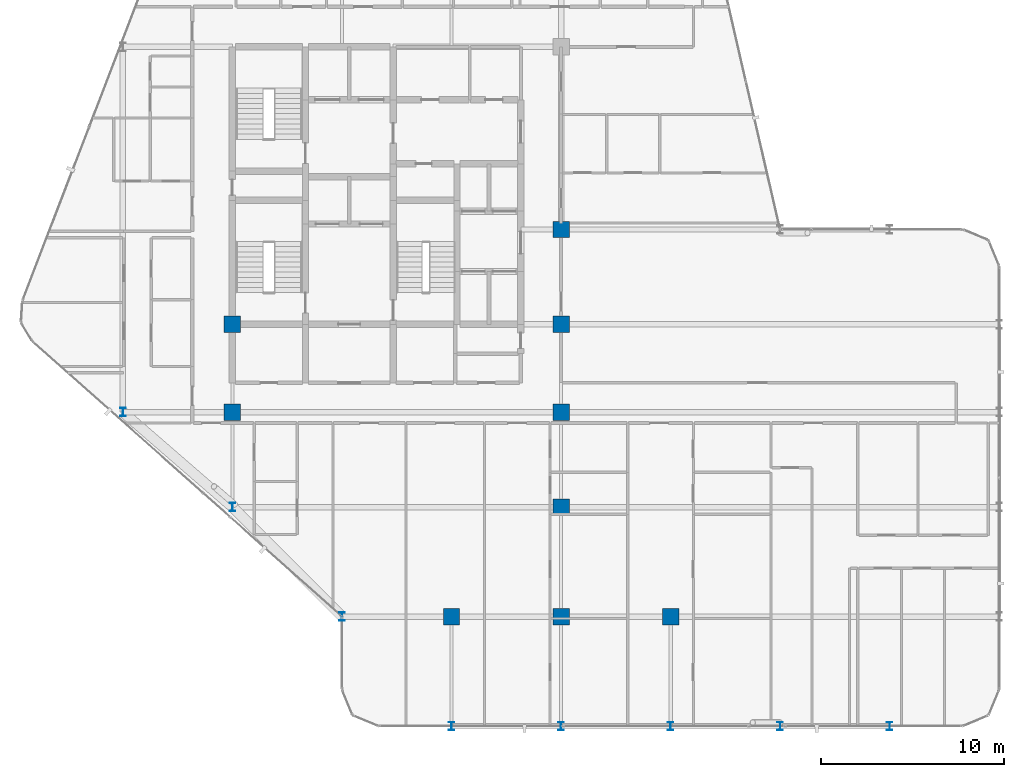
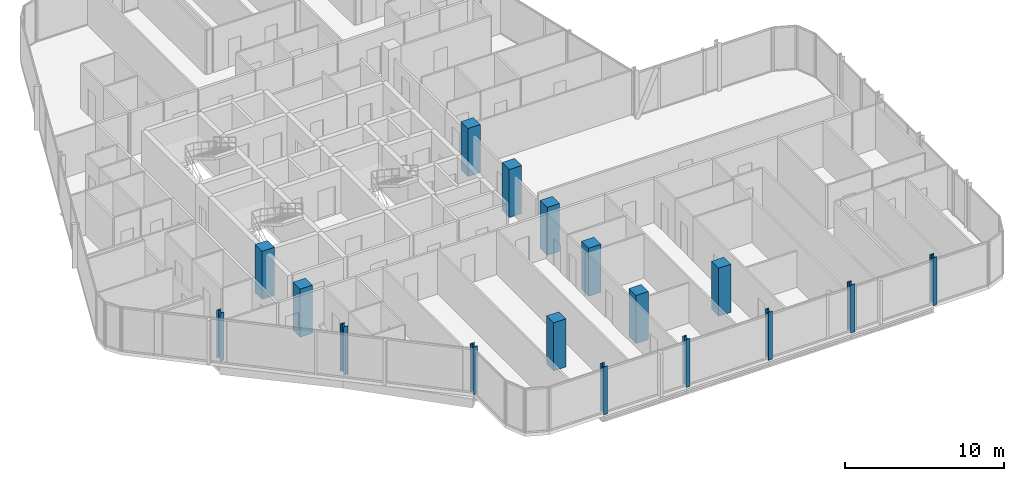
# One storey, part 1 of 29: 17 columns.
"""IFC4 building model written with IfcOpenShell, lengths in metres."""

from ifc_helpers import new_model, si_unit, direction, frame, origin, origin_2d, place, context, subcontext, project, spatial, rectangle, i_section, extrude, material, material_profile, profile_set, type_object, element, save


model = new_model("IFC4")

# Units and contexts
model_context = context("Model", 3, precision=1e-05, world=origin(), true_north=direction((0.0, 1.0)))
body_context = subcontext(model_context, "Body", "Model", "MODEL_VIEW")
ifc_project = project(units=[si_unit("LENGTHUNIT", "METRE"), si_unit("AREAUNIT", "SQUARE_METRE"), si_unit("VOLUMEUNIT", "CUBIC_METRE"), si_unit("PLANEANGLEUNIT", "RADIAN"), si_unit("MASSUNIT", "GRAM", prefix="KILO")], contexts=[model_context])

# Site, building, storey
site_placement = place(None, origin())
site = spatial("IfcSite", under=ifc_project, at=site_placement, CompositionType="ELEMENT")
building_placement = place(site_placement, origin())
building = spatial("IfcBuilding", under=site, at=building_placement, Name="Keshet Zoharim Tower", CompositionType="ELEMENT")
storey_placement = place(building_placement, frame((0.0, 0.0, 195.800048828125)))
storey = spatial("IfcBuildingStorey", under=building, at=storey_placement, Name="L48", CompositionType="ELEMENT", Elevation=195.800048828125)

# Columns
ifc_material_1 = material(Name="Steel S355", Category="steel")
ifc_material_profile_1 = material_profile(ifc_material_1, i_section(OverallWidth=0.300048828125, OverallDepth=0.449951171875, WebThickness=0.013916015625, FlangeThickness=0.02587890625, FilletRadius=0.027099609375, at=origin_2d()), Name="HEB450")
ifc_profile_set_1 = profile_set([ifc_material_profile_1], Name="Steel S355")
column_type_1 = type_object("IfcColumnType", Name="COL-HEB450", PredefinedType="COLUMN", material=ifc_profile_set_1)
for number, where, z_axis, x_axis, name in (
    (1, (9.0, 17.89990234375, 0.0), (0.0, 0.0, 1.0), (1.0, 0.0, 0.0), "L48 Column 2D"),
    (2, (15.0, 12.699951171875, 0.0), (0.0, 0.0, 1.0), (1.0, 0.0, 0.0), "L48 Column 3C"),
    (3, (21.0, 6.699951171875, 0.0), (0.0, 0.0, 1.0), (1.0, 0.0, 0.0), "L48 Column 4B"),
    (4, (27.0, 0.699951171875, 0.0), (0.0, 0.0, 1.0), (1.0, 0.0, 0.0), "L48 Column 5A"),
    (5, (33.0, 0.699951171875, 0.0), (0.0, 0.0, 1.0), (1.0, 0.0, 0.0), "L48 Column 6A"),
    (6, (39.0, 0.699951171875, 0.0), (0.0, 0.0, 1.0), (1.0, 0.0, 0.0), "L48 Column 7A"),
    (7, (45.0, 0.699951171875, 0.0), (0.0, 0.0, 1.0), (1.0, 0.0, 0.0), "L48 Column 8A"),
    (8, (51.0, 0.699951171875, 0.0), (0.0, 0.0, 1.0), (1.0, 0.0, 0.0), "L48 Column 9A"),
):
    element("IfcColumn", number, at=place(storey_placement, frame(where, z_axis=z_axis, x_axis=x_axis)), inside=storey, type_object=column_type_1, Name=name, PredefinedType="COLUMN", context=body_context, shape_type="SweptSolid", body=[
        extrude(i_section(OverallWidth=0.300048828125, OverallDepth=0.449951171875, WebThickness=0.013916015625, FlangeThickness=0.02587890625, FilletRadius=0.027099609375, at=origin_2d()), origin(), (0.0, 0.0, 1.0), 3.699951171875),
    ])
ifc_material_2 = material(Name="Concrete C60/75", Category="concrete")
ifc_material_profile_2 = material_profile(ifc_material_2, rectangle(XDim=0.89990234375, YDim=0.89990234375, at=origin_2d()), Name="RC900x900")
ifc_profile_set_2 = profile_set([ifc_material_profile_2], Name="Concrete C60/75")
column_type_2 = type_object("IfcColumnType", Name="COL-RC900", PredefinedType="COLUMN", material=ifc_profile_set_2)
for number, where, z_axis, x_axis, name in (
    (9, (15.0, 17.89990234375, 0.0), (0.0, 0.0, 1.0), (1.0, 0.0, 0.0), "L48 Column 3D"),
    (10, (15.0, 22.699951171875, 0.0), (0.0, 0.0, 1.0), (1.0, 0.0, 0.0), "L48 Column 3E"),
    (11, (27.0, 6.699951171875, 0.0), (0.0, 0.0, 1.0), (1.0, 0.0, 0.0), "L48 Column 5B"),
    (12, (33.0, 6.699951171875, 0.0), (0.0, 0.0, 1.0), (1.0, 0.0, 0.0), "L48 Column 6B"),
    (13, (33.0, 12.699951171875, 0.0), (0.0, 0.0, 1.0), (1.0, 0.0, 0.0), "L48 Column 6C"),
    (14, (33.0, 17.89990234375, 0.0), (0.0, 0.0, 1.0), (1.0, 0.0, 0.0), "L48 Column 6D"),
    (15, (33.0, 22.699951171875, 0.0), (0.0, 0.0, 1.0), (1.0, 0.0, 0.0), "L48 Column 6E"),
    (16, (33.0, 27.89990234375, 0.0), (0.0, 0.0, 1.0), (1.0, 0.0, 0.0), "L48 Column 6F"),
    (17, (39.0, 6.699951171875, 0.0), (0.0, 0.0, 1.0), (1.0, 0.0, 0.0), "L48 Column 7B"),
):
    element("IfcColumn", number, at=place(storey_placement, frame(where, z_axis=z_axis, x_axis=x_axis)), inside=storey, type_object=column_type_2, Name=name, PredefinedType="COLUMN", context=body_context, shape_type="SweptSolid", body=[
        extrude(rectangle(XDim=0.89990234375, YDim=0.89990234375, at=origin_2d()), origin(), (0.0, 0.0, 1.0), 3.699951171875),
    ])

save(model, "model.ifc")
